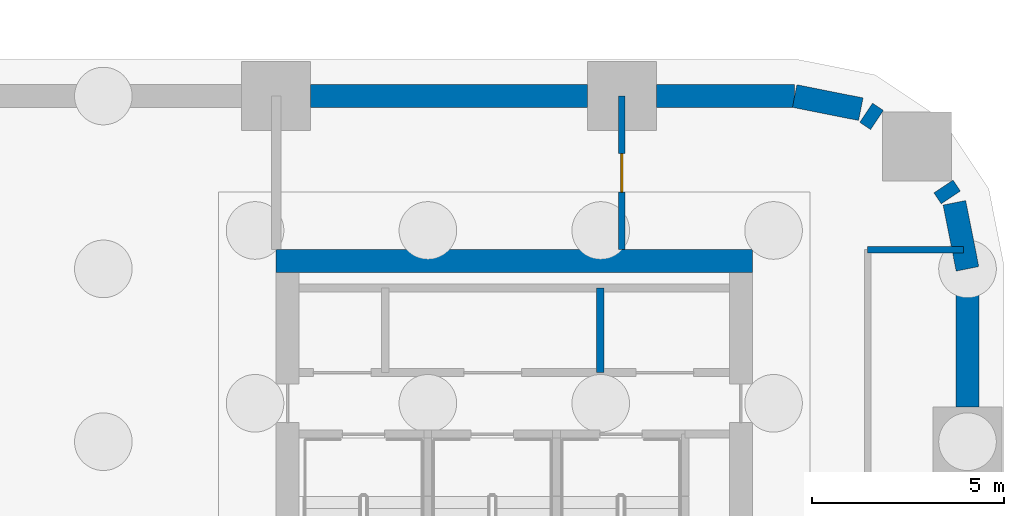
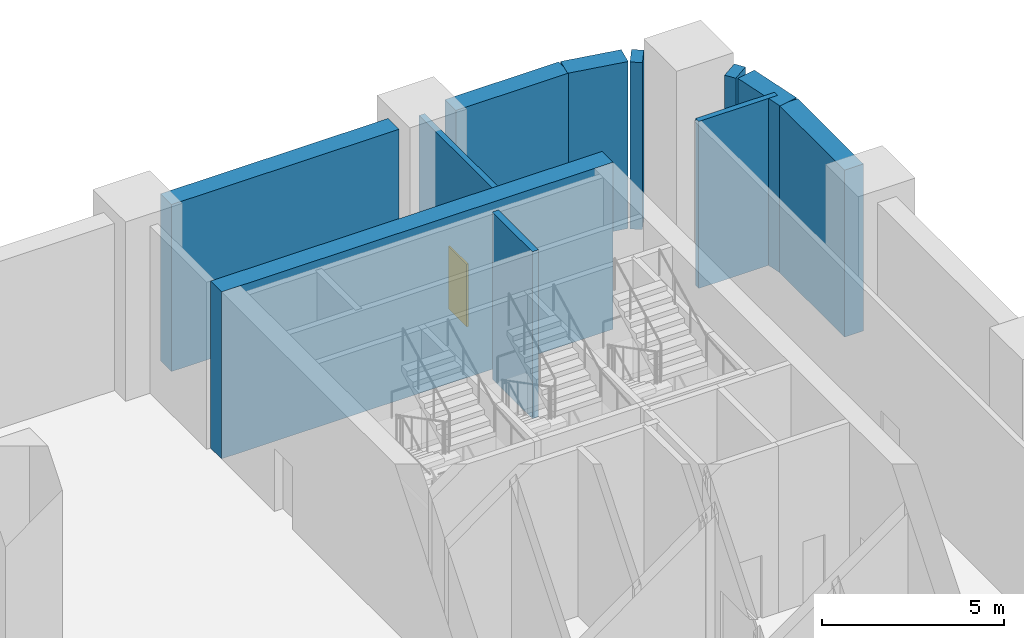
# One storey, part 14 of 26: 11 walls, 1 door, 1 opening.
"""IFC4 building model written with IfcOpenShell, lengths in metres."""

from ifc_helpers import new_model, si_unit, direction, frame, frame_2d, origin, place, context, subcontext, project, spatial, rectangle, extrude, material, layer, layer_set, type_object, element, fill, save


model = new_model("IFC4")

# Units and contexts
model_context = context("Model", 3, precision=1e-05, world=origin(), true_north=direction((0.0, 1.0)))
body_context = subcontext(model_context, "Body", "Model", "MODEL_VIEW")
ifc_project = project(units=[si_unit("LENGTHUNIT", "METRE"), si_unit("AREAUNIT", "SQUARE_METRE"), si_unit("VOLUMEUNIT", "CUBIC_METRE"), si_unit("PLANEANGLEUNIT", "RADIAN"), si_unit("MASSUNIT", "GRAM", prefix="KILO")], contexts=[model_context])

# Site, building, storey
site_placement = place(None, origin())
site = spatial("IfcSite", under=ifc_project, at=site_placement, CompositionType="ELEMENT")
building_placement = place(site_placement, origin())
building = spatial("IfcBuilding", under=site, at=building_placement, Name="Tessera Arch", CompositionType="ELEMENT")
storey_placement = place(building_placement, frame((0.0, 0.0, -6.0)))
storey = spatial("IfcBuildingStorey", under=building, at=storey_placement, Name="B1", CompositionType="ELEMENT", Elevation=-6.0)

# Walls
ifc_material_1 = material(Name="Concrete C50/60", Category="concrete")
ifc_layer_1 = layer(ifc_material_1, 0.60009765625)
ifc_layer_set_1 = layer_set([ifc_layer_1], Name="Basement wall 600 Concrete C50/60")
wall_type_1 = type_object("IfcWallType", Name="Basement wall 600 Concrete C50/60", PredefinedType="SOLIDWALL", material=ifc_layer_set_1)
wall_1_placement = place(storey_placement, frame((54.0, 45.89990234375, 0.0), z_axis=(0.0, 0.0, 1.0), x_axis=(0.0, 1.0, 0.0)))
element("IfcWall", 1, at=wall_1_placement, inside=storey, type_object=wall_type_1, Name="Basement wall B1 6", PredefinedType="SOLIDWALL", context=body_context, shape_type="SweptSolid", body=[
    extrude(rectangle(XDim=3.60009765625, YDim=0.60009765625, at=frame_2d((1.800048828125, 0.0))), origin(), (0.0, 0.0, 1.0), 5.590087890625),
])
wall_2_placement = place(storey_placement, frame((54.0, 49.5, 0.0), z_axis=(0.0, 0.0, 1.0), x_axis=(-0.195073223687, 0.980788681317, 0.0)))
element("IfcWall", 2, at=wall_2_placement, inside=storey, type_object=wall_type_1, Name="Basement wall B1 7", PredefinedType="SOLIDWALL", context=body_context, shape_type="SweptSolid", body=[
    extrude(rectangle(XDim=1.755859375, YDim=0.60009765625, at=frame_2d((0.8779296875, 0.0))), origin(), (0.0, 0.0, 1.0), 5.590087890625),
])
for number, where, z_axis, x_axis, name in (
    (3, (53.565185546875, 51.360107421875, 0.0), (0.0, 0.0, 1.0), (-0.555524878855, 0.831499915197, 0.0), "Basement wall B1 8"),
    (4, (51.64404296875, 53.37548828125, 0.0), (0.0, 0.0, 1.0), (-0.831499915197, 0.555524878855, 0.0), "Basement wall B1 9"),
):
    element("IfcWall", number, at=place(storey_placement, frame(where, z_axis=z_axis, x_axis=x_axis)), inside=storey, type_object=wall_type_1, Name=name, PredefinedType="SOLIDWALL", context=body_context, shape_type="SweptSolid", body=[
        extrude(rectangle(XDim=0.341552734375, YDim=0.60009765625, at=frame_2d((0.1708984375, 0.0))), origin(), (0.0, 0.0, 1.0), 5.590087890625),
    ])
wall_3_placement = place(storey_placement, frame((51.22216796875, 53.657470703125, 0.0), z_axis=(0.0, 0.0, 1.0), x_axis=(-0.980788681317, 0.195073223687, 0.0)))
element("IfcWall", 5, at=wall_3_placement, inside=storey, type_object=wall_type_1, Name="Basement wall B1 10", PredefinedType="SOLIDWALL", context=body_context, shape_type="SweptSolid", body=[
    extrude(rectangle(XDim=1.755859375, YDim=0.60009765625, at=frame_2d((0.8779296875, 0.0))), origin(), (0.0, 0.0, 1.0), 5.590087890625),
])
wall_4_placement = place(storey_placement, frame((49.5, 54.0, 0.0), z_axis=(0.0, 0.0, 1.0), x_axis=(-1.0, 0.0, 0.0)))
element("IfcWall", 6, at=wall_4_placement, inside=storey, type_object=wall_type_1, Name="Basement wall B1 11", PredefinedType="SOLIDWALL", context=body_context, shape_type="SweptSolid", body=[
    extrude(rectangle(XDim=3.60009765625, YDim=0.60009765625, at=frame_2d((1.800048828125, 0.0))), origin(), (0.0, 0.0, 1.0), 5.590087890625),
])
wall_5_placement = place(storey_placement, frame((44.10009765625, 54.0, 0.0), z_axis=(0.0, 0.0, 1.0), x_axis=(-1.0, 0.0, 0.0)))
element("IfcWall", 7, at=wall_5_placement, inside=storey, type_object=wall_type_1, Name="Basement wall B1 12", PredefinedType="SOLIDWALL", context=body_context, shape_type="SweptSolid", body=[
    extrude(rectangle(XDim=7.2001953125, YDim=0.60009765625, at=frame_2d((3.60009765625, 0.0))), origin(), (0.0, 0.0, 1.0), 5.590087890625),
])
ifc_material_2 = material(Name="Gypsum board on steel stud", Category="steel")
ifc_layer_2 = layer(ifc_material_2, 0.125)
ifc_layer_set_2 = layer_set([ifc_layer_2], Name="Core partition 125 EI 60")
wall_type_2 = type_object("IfcWallType", Name="Core partition 125 EI 60", PredefinedType="PARTITIONING", material=ifc_layer_set_2)
wall_6_placement = place(storey_placement, frame((44.43994140625, 46.800048828125, 0.0), z_axis=(0.0, 0.0, 1.0), x_axis=(0.0, 1.0, 0.0)))
element("IfcWall", 8, at=wall_6_placement, inside=storey, type_object=wall_type_2, Name="B1 C1 partition wall 18", PredefinedType="PARTITIONING", context=body_context, shape_type="SweptSolid", body=[
    extrude(rectangle(XDim=2.199951171875, YDim=0.199951171875, at=frame_2d((1.10009765625, 0.0))), origin(), (0.0, 0.0, 1.0), 5.590087890625),
])
ifc_material_3 = material(Name="Concrete C70/85", Category="concrete")
ifc_layer_3 = layer(ifc_material_3, 0.60009765625)
ifc_layer_set_3 = layer_set([ifc_layer_3], Name="Core shell wall 600 C70-85")
wall_type_3 = type_object("IfcWallType", Name="Core shell wall 600 C70-85", PredefinedType="SHEAR", material=ifc_layer_set_3)
wall_7_placement = place(storey_placement, frame((36.0, 49.699951171875, 0.0), z_axis=(0.0, 0.0, 1.0), x_axis=(1.0, 0.0, 0.0)))
element("IfcWall", 9, at=wall_7_placement, inside=storey, type_object=wall_type_3, Name="B1 C1 core wall N", PredefinedType="SHEAR", context=body_context, shape_type="SweptSolid", body=[
    extrude(rectangle(XDim=12.39990234375, YDim=0.60009765625, at=frame_2d((6.199951171875, 0.0))), origin(), (0.0, 0.0, 1.0), 5.590087890625),
])
ifc_material_4 = material(Name="Gypsum board on deep steel stud with mineral wool", Category="steel")
ifc_layer_4 = layer(ifc_material_4, 0.175048828125)
ifc_layer_set_4 = layer_set([ifc_layer_4], Name="Corridor wall 175 EI 60")
wall_type_4 = type_object("IfcWallType", Name="Corridor wall 175 EI 60", PredefinedType="PARTITIONING", material=ifc_layer_set_4)
wall_8_placement = place(storey_placement, frame((51.39990234375, 50.0, 0.0), z_axis=(0.0, 0.0, 1.0), x_axis=(1.0, 0.0, 0.0)))
element("IfcWall", 10, at=wall_8_placement, inside=storey, type_object=wall_type_4, Name="B1 partition 10", PredefinedType="PARTITIONING", context=body_context, shape_type="SweptSolid", body=[
    extrude(rectangle(XDim=2.50048828125, YDim=0.175048828125, at=frame_2d((1.250244140625, 0.0))), origin(), (0.0, 0.0, 1.0), 5.590087890625),
])

# Wall, opening, door
wall_9_placement = place(storey_placement, frame((45.0, 50.0, 0.0), z_axis=(0.0, 0.0, 1.0), x_axis=(0.0, 1.0, 0.0)))
wall_9 = element("IfcWall", 11, at=wall_9_placement, inside=storey, type_object=wall_type_4, Name="B1 partition 25", PredefinedType="PARTITIONING", context=body_context, shape_type="SweptSolid", body=[
    extrude(rectangle(XDim=4.0, YDim=0.175048828125, at=frame_2d((2.0, 0.0))), origin(), (0.0, 0.0, 1.0), 5.590087890625),
])
opening_placement = place(wall_9_placement, frame((1.5, 0.0, 0.0)))
opening = element("IfcOpeningElement", 12, at=opening_placement, cuts=wall_9, Name="Opening B1-D007", PredefinedType="OPENING", context=body_context, shape_type="SweptSolid", body=[
    extrude(rectangle(XDim=1.0, YDim=2.10009765625, at=frame_2d((0.5, 1.050048828125))), frame((0.0, 0.097412109375, 0.0), z_axis=(0.0, -1.0, 0.0), x_axis=(1.0, 0.0, 0.0)), (0.0, 0.0, 1.0), 0.195068359375),
])
ifc_material_5 = material(Name="Fire-rated door leaf")
door_type = type_object("IfcDoorType", Name="Entrance door FD60 1000 x 2100", OperationType="SINGLE_SWING_LEFT", PredefinedType="DOOR", material=ifc_material_5)
door_placement = place(opening_placement, origin())
door = element("IfcDoor", 13, at=door_placement, inside=storey, type_object=door_type, Name="B1 door D007 type D16", OperationType="SINGLE_SWING_RIGHT", OverallHeight=2.10009765625, OverallWidth=1.0, PredefinedType="DOOR", context=body_context, shape_type="SweptSolid", body=[
    extrude(rectangle(XDim=1.0, YDim=2.10009765625, at=frame_2d((0.5, 1.050048828125))), frame((0.0, 0.02490234375, 0.0), z_axis=(0.0, -1.0, 0.0), x_axis=(1.0, 0.0, 0.0)), (0.0, 0.0, 1.0), 0.050048828125),
])
fill(opening, door)

save(model, "model.ifc")
